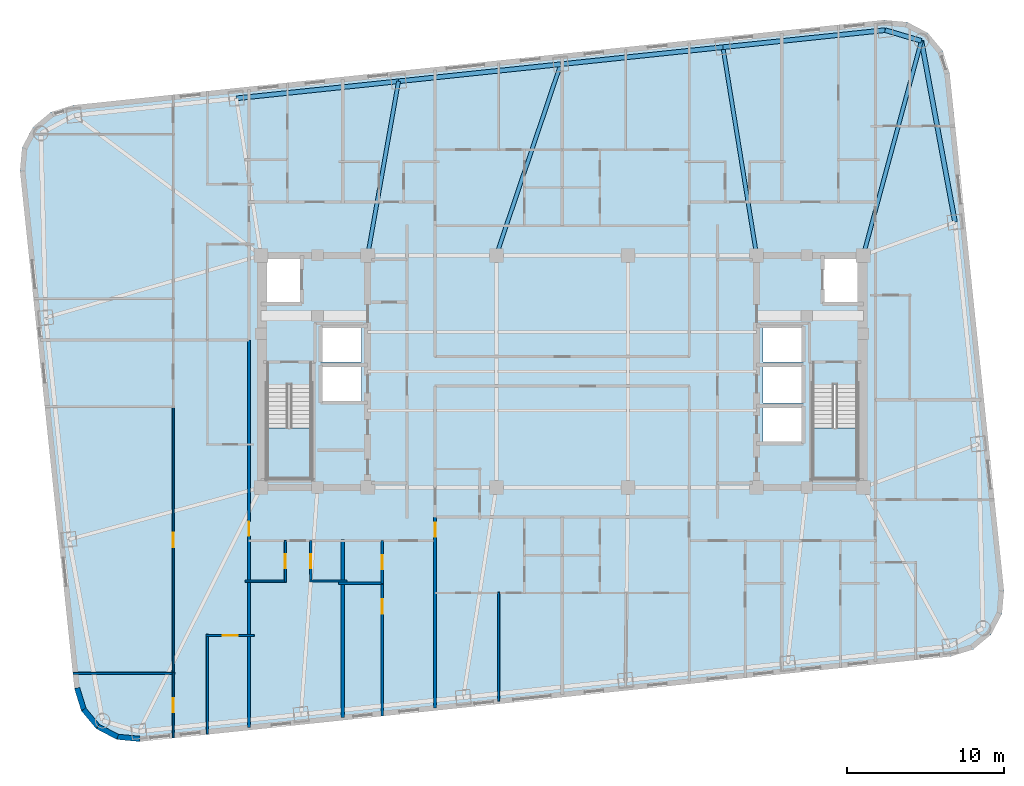
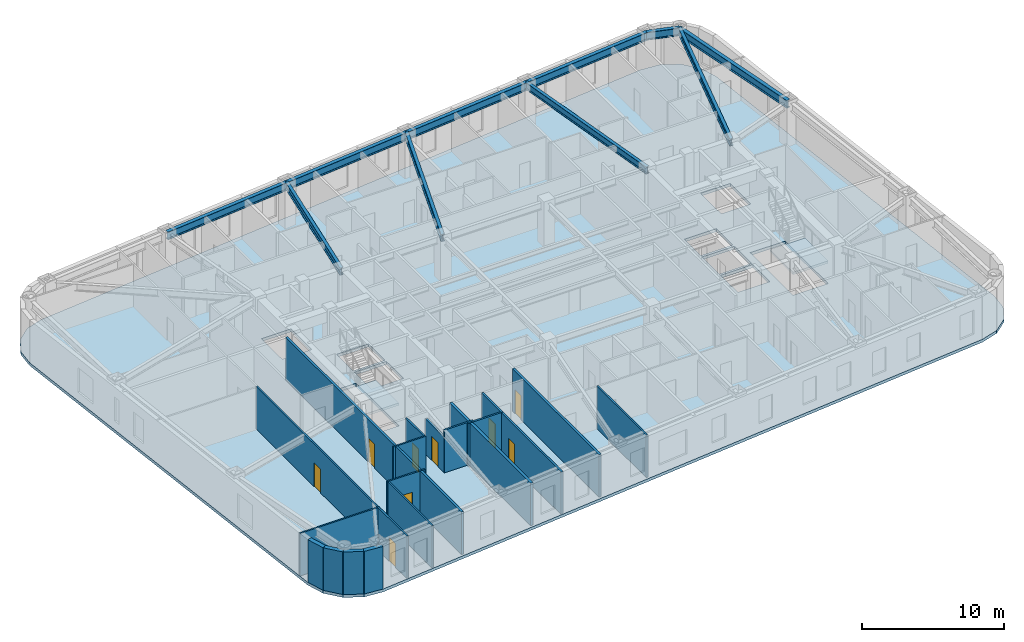
# One storey, part 2 of 11: 20 walls, 10 beams, 9 doors, 3 slabs, 9 openings, 2 elements without a shape of their own.
"""IFC4 building model written with IfcOpenShell, lengths in metres."""

from ifc_helpers import new_model, si_unit, direction, frame, frame_2d, origin, origin_2d, place, context, subcontext, project, spatial, polyline, rectangle, i_section, outline, extrude, material, layer, layer_set, material_profile, profile_set, type_object, element, fill, aggregate, save


model = new_model("IFC4")

# Units and contexts
model_context = context("Model", 3, precision=1e-05, world=origin(), true_north=direction((0.0, 1.0)))
body_context = subcontext(model_context, "Body", "Model", "MODEL_VIEW")
ifc_project = project(units=[si_unit("LENGTHUNIT", "METRE"), si_unit("AREAUNIT", "SQUARE_METRE"), si_unit("VOLUMEUNIT", "CUBIC_METRE"), si_unit("PLANEANGLEUNIT", "RADIAN"), si_unit("MASSUNIT", "GRAM", prefix="KILO")], contexts=[model_context])

# Site, building, storey
site_placement = place(None, origin())
site = spatial("IfcSite", under=ifc_project, at=site_placement, CompositionType="ELEMENT")
building_placement = place(site_placement, origin())
building = spatial("IfcBuilding", under=site, at=building_placement, Name="Voryun Gate Residences", CompositionType="ELEMENT")
storey_placement = place(building_placement, frame((0.0, 0.0, 175.5)))
storey = spatial("IfcBuildingStorey", under=building, at=storey_placement, Name="L43", CompositionType="ELEMENT", Elevation=175.5)

# Beams
ifc_material_1 = material(Name="Steel SM355", Category="steel")
ifc_material_profile_1 = material_profile(ifc_material_1, i_section(OverallWidth=0.300048828125, OverallDepth=0.679931640625, WebThickness=0.013916015625, FlangeThickness=0.02490234375, FilletRadius=0.01806640625, at=origin_2d()), Name="H-680x300x14x25")
ifc_profile_set_1 = profile_set([ifc_material_profile_1], Name="Steel SM355")
beam_type_1 = type_object("IfcBeamType", Name="BM_EXO_SPANDREL_M", PredefinedType="SPANDREL", material=ifc_profile_set_1)
beam_1_placement = place(storey_placement, frame((25.047119140625, 9.51806640625, 3.31005859375), z_axis=(-0.182267768769, 0.983248931079, 0.0), x_axis=(-0.983248931079, -0.182267768769, 0.0)))
element("IfcBeam", 1, at=beam_1_placement, inside=storey, type_object=beam_type_1, Name="BM-L43-SPAND-09", PredefinedType="SPANDREL", context=body_context, shape_type="SweptSolid", body=[
    extrude(i_section(OverallWidth=0.300048828125, OverallDepth=0.679931640625, WebThickness=0.013916015625, FlangeThickness=0.02490234375, FilletRadius=0.01806640625, at=origin_2d()), origin(), (0.0, 0.0, 1.0), 11.753662109375),
])
beam_2_placement = place(storey_placement, frame((22.90478515625, 21.074951171875, 3.31005859375), z_axis=(-0.958843048967, 0.283936625758, 0.0), x_axis=(-0.283936625758, -0.958843048967, 0.0)))
element("IfcBeam", 2, at=beam_2_placement, inside=storey, type_object=beam_type_1, Name="BM-L43-SPAND-10", PredefinedType="SPANDREL", context=body_context, shape_type="SweptSolid", body=[
    extrude(i_section(OverallWidth=0.300048828125, OverallDepth=0.679931640625, WebThickness=0.013916015625, FlangeThickness=0.02490234375, FilletRadius=0.01806640625, at=origin_2d()), origin(), (0.0, 0.0, 1.0), 2.410888671875),
])
for number, where, z_axis, x_axis, name in (
    (3, (20.593017578125, 21.759521484375, 3.31005859375), (-0.994521263116, -0.104534478571, 0.0), (0.104534478571, -0.994521263116, 0.0), "BM-L43-SPAND-11"),
    (4, (10.25, 20.67236328125, 3.31005859375), (-0.99452370336, -0.10451125994, 0.0), (0.10451125994, -0.99452370336, 0.0), "BM-L43-SPAND-12"),
    (5, (-0.093017578125, 19.58544921875, 3.31005859375), (-0.994521263116, -0.104534478571, 0.0), (0.104534478571, -0.994521263116, 0.0), "BM-L43-SPAND-13"),
    (6, (-10.43603515625, 18.498291015625, 3.31005859375), (-0.994521263116, -0.104534478571, 0.0), (0.104534478571, -0.994521263116, 0.0), "BM-L43-SPAND-14"),
):
    element("IfcBeam", number, at=place(storey_placement, frame(where, z_axis=z_axis, x_axis=x_axis)), inside=storey, type_object=beam_type_1, Name=name, PredefinedType="SPANDREL", context=body_context, shape_type="SweptSolid", body=[
        extrude(i_section(OverallWidth=0.300048828125, OverallDepth=0.679931640625, WebThickness=0.013916015625, FlangeThickness=0.02490234375, FilletRadius=0.01806640625, at=origin_2d()), origin(), (0.0, 0.0, 1.0), 10.39990234375),
    ])
ifc_material_2 = material(Name="Steel SM355", Category="steel")
ifc_material_profile_2 = material_profile(ifc_material_2, i_section(OverallWidth=0.25, OverallDepth=0.60009765625, WebThickness=0.011962890625, FlangeThickness=0.02197265625, FilletRadius=0.01806640625, at=origin_2d()), Name="H-600x250x12x22")
ifc_profile_set_2 = profile_set([ifc_material_profile_2], Name="Steel SM355")
beam_type_2 = type_object("IfcBeamType", Name="BM_GIRD_600", PredefinedType="USERDEFINED", material=ifc_profile_set_2)
beam_3_placement = place(storey_placement, frame((19.199951171875, 7.39990234375, 3.35009765625), z_axis=(0.261492735838, 0.965205443988, 0.0), x_axis=(-0.965205443988, 0.261492735838, 0.0)))
element("IfcBeam", 7, at=beam_3_placement, inside=storey, type_object=beam_type_2, Name="BM-L43-RAD-CNE", ObjectType="GIRDER", PredefinedType="USERDEFINED", context=body_context, shape_type="SweptSolid", body=[
    extrude(i_section(OverallWidth=0.25, OverallDepth=0.60009765625, WebThickness=0.011962890625, FlangeThickness=0.02197265625, FilletRadius=0.01806640625, at=origin_2d()), origin(), (0.0, 0.0, 1.0), 14.16796875),
])
beam_4_placement = place(storey_placement, frame((12.39990234375, 7.39990234375, 3.35009765625), z_axis=(-0.159898055533, 0.987133532931, 0.0), x_axis=(-0.987133532931, -0.159898055533, 0.0)))
element("IfcBeam", 8, at=beam_4_placement, inside=storey, type_object=beam_type_2, Name="BM-L43-RAD-N2", ObjectType="GIRDER", PredefinedType="USERDEFINED", context=body_context, shape_type="SweptSolid", body=[
    extrude(i_section(OverallWidth=0.25, OverallDepth=0.60009765625, WebThickness=0.011962890625, FlangeThickness=0.02197265625, FilletRadius=0.01806640625, at=origin_2d()), origin(), (0.0, 0.0, 1.0), 13.445556640625),
])
beam_5_placement = place(storey_placement, frame((-4.199951171875, 7.39990234375, 3.35009765625), z_axis=(0.319381479956, 0.947626229197, 0.0), x_axis=(-0.947626229197, 0.319381479956, 0.0)))
element("IfcBeam", 9, at=beam_5_placement, inside=storey, type_object=beam_type_2, Name="BM-L43-RAD-N3", ObjectType="GIRDER", PredefinedType="USERDEFINED", context=body_context, shape_type="SweptSolid", body=[
    extrude(i_section(OverallWidth=0.25, OverallDepth=0.60009765625, WebThickness=0.011962890625, FlangeThickness=0.02197265625, FilletRadius=0.01806640625, at=origin_2d()), origin(), (0.0, 0.0, 1.0), 12.859130859375),
])
beam_6_placement = place(storey_placement, frame((-12.39990234375, 7.39990234375, 3.35009765625), z_axis=(0.174243764839, 0.984702549207, 0.0), x_axis=(-0.984702549207, 0.174243764839, 0.0)))
element("IfcBeam", 10, at=beam_6_placement, inside=storey, type_object=beam_type_2, Name="BM-L43-RAD-N4", ObjectType="GIRDER", PredefinedType="USERDEFINED", context=body_context, shape_type="SweptSolid", body=[
    extrude(i_section(OverallWidth=0.25, OverallDepth=0.60009765625, WebThickness=0.011962890625, FlangeThickness=0.02197265625, FilletRadius=0.01806640625, at=origin_2d()), origin(), (0.0, 0.0, 1.0), 11.270751953125),
])

# Slab
ifc_material_3 = material(Name="Concrete C40/50", Category="concrete")
ifc_layer_1 = layer(ifc_material_3, 0.25, Name="SLB_RES_250")
ifc_layer_set_1 = layer_set([ifc_layer_1], Name="Concrete C40/50")
slab_type_1 = type_object("IfcSlabType", Name="SLB_RES_250", PredefinedType="FLOOR", material=ifc_layer_set_1)
slab_1_placement = place(storey_placement, frame((0.0, 0.0, -0.25)))
element("IfcSlab", 11, at=slab_1_placement, inside=storey, type_object=slab_type_1, Name="L43 Structural Floor Slab", PredefinedType="FLOOR", context=body_context, shape_type="SweptSolid", body=[
    extrude(outline(polyline([(-26.92529296875, -23.60595703125), (-28.401611328125, -23.47021484375), (-29.7138671875, -22.780029296875), (-30.661865234375, -21.639892578125), (-31.1015625, -20.22412109375), (-34.572021484375, 12.794189453125), (-34.436279296875, 14.2705078125), (-33.745849609375, 15.582763671875), (-32.60595703125, 16.53076171875), (-31.18994140625, 16.970458984375), (20.525146484375, 22.406005859375), (22.001708984375, 22.270263671875), (23.313720703125, 21.580078125), (24.261962890625, 20.43994140625), (24.70166015625, 19.02392578125), (28.171875, -13.994140625), (28.036376953125, -15.470458984375), (27.345947265625, -16.78271484375), (26.2060546875, -17.730712890625), (24.7900390625, -18.17041015625), (-26.92529296875, -23.60595703125)]), holes=[polyline([(-15.97509765625, -6.85009765625), (-15.97509765625, -0.840087890625), (-18.824951171875, -0.840087890625), (-18.824951171875, -6.85009765625), (-15.97509765625, -6.85009765625)]), polyline([(18.824951171875, -6.85009765625), (18.824951171875, -0.840087890625), (15.97509765625, -0.840087890625), (15.97509765625, -6.85009765625), (18.824951171875, -6.85009765625)]), polyline([(15.39990234375, -2.199951171875), (12.800048828125, -2.199951171875), (12.800048828125, -4.60009765625), (15.39990234375, -4.60009765625), (15.39990234375, -2.199951171875)]), polyline([(-12.800048828125, 0.39990234375), (-15.39990234375, 0.39990234375), (-15.39990234375, -2.0), (-12.800048828125, -2.0), (-12.800048828125, 0.39990234375)]), polyline([(15.39990234375, 0.39990234375), (12.800048828125, 0.39990234375), (12.800048828125, -2.0), (15.39990234375, -2.0), (15.39990234375, 0.39990234375)]), polyline([(-12.800048828125, 2.89990234375), (-15.39990234375, 2.89990234375), (-15.39990234375, 0.60009765625), (-12.800048828125, 0.60009765625), (-12.800048828125, 2.89990234375)]), polyline([(15.39990234375, 2.89990234375), (12.800048828125, 2.89990234375), (12.800048828125, 0.60009765625), (15.39990234375, 0.60009765625), (15.39990234375, 2.89990234375)]), polyline([(-16.60009765625, 4.300048828125), (-16.60009765625, 7.199951171875), (-19.0, 7.199951171875), (-19.0, 4.300048828125), (-16.60009765625, 4.300048828125)]), polyline([(19.0, 4.300048828125), (19.0, 7.199951171875), (16.60009765625, 7.199951171875), (16.60009765625, 4.300048828125), (19.0, 4.300048828125)])]), origin(), (0.0, 0.0, 1.0), 0.25),
])

# Stair, slab
ifc_material_4 = material(Name="Concrete C40/50", Category="concrete")
stair_type = type_object("IfcStairType", Name="STR_CORE_DOGLEG_1350", PredefinedType="HALF_TURN_STAIR", material=ifc_material_4)
stair_1_placement = place(storey_placement, origin())
stair_1 = element("IfcStair", 12, at=stair_1_placement, inside=storey, type_object=stair_type, Name="L43 Special Escape Stair ST-W1", PredefinedType="HALF_TURN_STAIR")
ifc_material_5 = material(Name="Concrete C40/50", Category="concrete")
ifc_layer_2 = layer(ifc_material_5, 0.199951171875, Name="SLB_STAIR_LANDING_200")
ifc_layer_set_2 = layer_set([ifc_layer_2], Name="Concrete C40/50")
slab_type_2 = type_object("IfcSlabType", Name="SLB_STAIR_LANDING_200", PredefinedType="LANDING", material=ifc_layer_set_2)
slab_2_placement = place(storey_placement, frame((0.0, 0.0, 1.75)))
slab_2 = element("IfcSlab", 13, at=slab_2_placement, type_object=slab_type_2, Name="ST-W1 landing 1", PredefinedType="LANDING", context=body_context, shape_type="SweptSolid", body=[
    extrude(outline(polyline([(-18.824951171875, -3.60009765625), (-18.824951171875, -6.85009765625), (-15.97509765625, -6.85009765625), (-15.97509765625, -3.60009765625), (-18.824951171875, -3.60009765625)])), origin(), (0.0, 0.0, 1.0), 0.199951171875),
])
aggregate(stair_1, [slab_2])

stair_2_placement = place(storey_placement, origin())
stair_2 = element("IfcStair", 14, at=stair_2_placement, inside=storey, type_object=stair_type, Name="L43 Special Escape Stair ST-E1", PredefinedType="HALF_TURN_STAIR")
slab_3_placement = place(storey_placement, frame((0.0, 0.0, 1.75)))
slab_3 = element("IfcSlab", 15, at=slab_3_placement, type_object=slab_type_2, Name="ST-E1 landing 1", PredefinedType="LANDING", context=body_context, shape_type="SweptSolid", body=[
    extrude(outline(polyline([(15.97509765625, -3.60009765625), (15.97509765625, -6.85009765625), (18.824951171875, -6.85009765625), (18.824951171875, -3.60009765625), (15.97509765625, -3.60009765625)])), origin(), (0.0, 0.0, 1.0), 0.199951171875),
])
aggregate(stair_2, [slab_3])

# Wall, opening, door
ifc_material_6 = material(Name="Gypsum acoustic fireboard")
ifc_layer_3 = layer(ifc_material_6, 0.179931640625, Name="W_CORR_RATED_180")
ifc_layer_set_3 = layer_set([ifc_layer_3], Name="Gypsum acoustic fireboard")
wall_type_1 = type_object("IfcWallType", Name="W_CORR_RATED_180", PredefinedType="PARTITIONING", material=ifc_layer_set_3)
wall_1_placement = place(storey_placement, frame((-8.10009765625, -21.456298828125, 0.0), z_axis=(0.0, 0.0, 1.0), x_axis=(0.0, 1.0, 0.0)))
wall_1 = element("IfcWall", 16, at=wall_1_placement, inside=storey, type_object=wall_type_1, Name="Partition wall WP-L43-SZV-1", PredefinedType="PARTITIONING", context=body_context, shape_type="SweptSolid", body=[
    extrude(rectangle(XDim=12.166259765625, YDim=0.179931640625, at=frame_2d((6.0830078125, 0.0))), origin(), (0.0, 0.0, 1.0), 3.64990234375),
])
opening_1_placement = place(wall_1_placement, frame((10.916015625, 0.0, 0.0)))
opening_1 = element("IfcOpeningElement", 17, at=opening_1_placement, cuts=wall_1, Name="Opening D-INT-2", PredefinedType="OPENING", context=body_context, shape_type="SweptSolid", body=[
    extrude(rectangle(XDim=0.89990234375, YDim=2.050048828125, at=frame_2d((0.449951171875, 1.02490234375))), frame((0.0, 0.099853515625, 0.0), z_axis=(0.0, -1.0, 0.0), x_axis=(1.0, 0.0, 0.0)), (0.0, 0.0, 1.0), 0.199951171875),
])
ifc_material_7 = material(Name="Architectural oak veneer")
door_type_1 = type_object("IfcDoorType", Name="DR_INT_BATH_900", OperationType="NOTDEFINED", PredefinedType="DOOR", material=ifc_material_7)
door_1_placement = place(opening_1_placement, origin())
door_1 = element("IfcDoor", 18, at=door_1_placement, inside=storey, type_object=door_type_1, Name="Door DR-L43-SZENT-1", OperationType="SINGLE_SWING_LEFT", OverallHeight=2.050048828125, OverallWidth=0.89990234375, PredefinedType="DOOR", context=body_context, shape_type="SweptSolid", body=[
    extrude(rectangle(XDim=0.89990234375, YDim=2.050048828125, at=frame_2d((0.449951171875, 1.02490234375))), frame((0.0, 0.02490234375, 0.0), z_axis=(0.0, -1.0, 0.0), x_axis=(1.0, 0.0, 0.0)), (0.0, 0.0, 1.0), 0.050048828125),
])
fill(opening_1, door_1)

wall_2_placement = place(storey_placement, frame((-19.969970703125, -22.7041015625, 0.0), z_axis=(0.0, 0.0, 1.0), x_axis=(0.0, 1.0, 0.0)))
wall_2 = element("IfcWall", 19, at=wall_2_placement, inside=storey, type_object=wall_type_1, Name="Partition wall WP-L43-WCOR1", PredefinedType="PARTITIONING", context=body_context, shape_type="SweptSolid", body=[
    extrude(rectangle(XDim=24.7041015625, YDim=0.179931640625, at=frame_2d((12.35205078125, 0.0))), origin(), (0.0, 0.0, 1.0), 3.64990234375),
])
opening_2_placement = place(wall_2_placement, frame((12.22314453125, 0.0, 0.0)))
opening_2 = element("IfcOpeningElement", 20, at=opening_2_placement, cuts=wall_2, Name="Opening D-INT-2", PredefinedType="OPENING", context=body_context, shape_type="SweptSolid", body=[
    extrude(rectangle(XDim=0.89990234375, YDim=2.050048828125, at=frame_2d((0.449951171875, 1.02490234375))), frame((0.0, 0.099853515625, 0.0), z_axis=(0.0, -1.0, 0.0), x_axis=(1.0, 0.0, 0.0)), (0.0, 0.0, 1.0), 0.199951171875),
])
door_2_placement = place(opening_2_placement, origin())
door_2 = element("IfcDoor", 21, at=door_2_placement, inside=storey, type_object=door_type_1, Name="Door DR-L43-WE1", OperationType="SINGLE_SWING_LEFT", OverallHeight=2.050048828125, OverallWidth=0.89990234375, PredefinedType="DOOR", context=body_context, shape_type="SweptSolid", body=[
    extrude(rectangle(XDim=0.89990234375, YDim=2.050048828125, at=frame_2d((0.449951171875, 1.02490234375))), frame((0.0, 0.02490234375, 0.0), z_axis=(0.0, -1.0, 0.0), x_axis=(1.0, 0.0, 0.0)), (0.0, 0.0, 1.0), 0.050048828125),
])
fill(opening_2, door_2)

# Walls
ifc_material_8 = material(Name="Charcoal terracotta masonry", Category="masonry")
ifc_layer_4 = layer(ifc_material_8, 0.340087890625, Name="W_EXT_TERRACOTTA_340")
ifc_layer_set_4 = layer_set([ifc_layer_4], Name="Charcoal terracotta masonry")
wall_type_2 = type_object("IfcWallType", Name="W_EXT_TERRACOTTA_340", PredefinedType="ELEMENTEDWALL", material=ifc_layer_set_4)
wall_3_placement = place(storey_placement, frame((-26.92626953125, -23.435302734375, 0.0), z_axis=(0.0, 0.0, 1.0), x_axis=(-0.995800460351, 0.091550222087, 0.0)))
element("IfcWall", 22, at=wall_3_placement, inside=storey, type_object=wall_type_2, Name="Exterior wall WEXT-L43-02", PredefinedType="ELEMENTEDWALL", context=body_context, shape_type="SweptSolid", body=[
    extrude(rectangle(XDim=1.43212890625, YDim=0.340087890625, at=frame_2d((0.716064453125, 0.0))), origin(), (0.0, 0.0, 1.0), 3.64990234375),
])
wall_4_placement = place(storey_placement, frame((-28.352294921875, -23.30419921875, 0.0), z_axis=(0.0, 0.0, 1.0), x_axis=(-0.884989312682, 0.465611336243, 0.0)))
element("IfcWall", 23, at=wall_4_placement, inside=storey, type_object=wall_type_2, Name="Exterior wall WEXT-L43-03", PredefinedType="ELEMENTEDWALL", context=body_context, shape_type="SweptSolid", body=[
    extrude(rectangle(XDim=1.415283203125, YDim=0.340087890625, at=frame_2d((0.70751953125, 0.0))), origin(), (0.0, 0.0, 1.0), 3.64990234375),
])
wall_5_placement = place(storey_placement, frame((-29.604736328125, -22.645263671875, 0.0), z_axis=(0.0, 0.0, 1.0), x_axis=(-0.639437361921, 0.768843196093, 0.0)))
element("IfcWall", 24, at=wall_5_placement, inside=storey, type_object=wall_type_2, Name="Exterior wall WEXT-L43-04", PredefinedType="ELEMENTEDWALL", context=body_context, shape_type="SweptSolid", body=[
    extrude(rectangle(XDim=1.4150390625, YDim=0.340087890625, at=frame_2d((0.70751953125, 0.0))), origin(), (0.0, 0.0, 1.0), 3.64990234375),
])
wall_6_placement = place(storey_placement, frame((-30.509521484375, -21.557373046875, 0.0), z_axis=(0.0, 0.0, 1.0), x_axis=(-0.296624409546, 0.9549942197, 0.0)))
element("IfcWall", 25, at=wall_6_placement, inside=storey, type_object=wall_type_2, Name="Exterior wall WEXT-L43-05", PredefinedType="ELEMENTEDWALL", context=body_context, shape_type="SweptSolid", body=[
    extrude(rectangle(XDim=1.43212890625, YDim=0.340087890625, at=frame_2d((0.716064453125, 0.0))), origin(), (0.0, 0.0, 1.0), 3.64990234375),
])
ifc_material_9 = material(Name="Concrete C40/50", Category="concrete")
ifc_layer_5 = layer(ifc_material_9, 0.219970703125, Name="W_PARTY_ACOUSTIC_220")
ifc_layer_set_5 = layer_set([ifc_layer_5], Name="Concrete C40/50")
wall_type_3 = type_object("IfcWallType", Name="W_PARTY_ACOUSTIC_220", PredefinedType="PARTITIONING", material=ifc_layer_set_5)
wall_7_placement = place(storey_placement, frame((-13.989990234375, -22.075439453125, 0.0), z_axis=(0.0, 0.0, 1.0), x_axis=(0.0, 1.0, 0.0)))
element("IfcWall", 26, at=wall_7_placement, inside=storey, type_object=wall_type_3, Name="Partition wall WP-L43-SPTY-1", PredefinedType="PARTITIONING", context=body_context, shape_type="SweptSolid", body=[
    extrude(rectangle(XDim=11.35546875, YDim=0.219970703125, at=frame_2d((5.677734375, 0.0))), origin(), (0.0, 0.0, 1.0), 3.64990234375),
])

# Wall, opening, door
ifc_material_10 = material(Name="Gypsum acoustic partition")
ifc_layer_6 = layer(ifc_material_10, 0.125, Name="W_UNIT_PART_125")
ifc_layer_set_6 = layer_set([ifc_layer_6], Name="Gypsum acoustic partition")
wall_type_4 = type_object("IfcWallType", Name="W_UNIT_PART_125", PredefinedType="PARTITIONING", material=ifc_layer_set_6)
wall_8_placement = place(storey_placement, frame((-17.64990234375, -13.429931640625, 0.0), z_axis=(0.0, 0.0, 1.0), x_axis=(0.0, 1.0, 0.0)))
wall_8 = element("IfcWall", 27, at=wall_8_placement, inside=storey, type_object=wall_type_4, Name="Partition wall WP-L43-S1-CVK", PredefinedType="PARTITIONING", context=body_context, shape_type="SweptSolid", body=[
    extrude(rectangle(XDim=2.64990234375, YDim=0.125, at=frame_2d((1.324951171875, 0.0))), origin(), (0.0, 0.0, 1.0), 3.64990234375),
])
opening_3_placement = place(wall_8_placement, frame((0.875, 0.0, 0.0)))
opening_3 = element("IfcOpeningElement", 28, at=opening_3_placement, cuts=wall_8, Name="Opening D-INT-2", PredefinedType="OPENING", context=body_context, shape_type="SweptSolid", body=[
    extrude(rectangle(XDim=0.89990234375, YDim=2.050048828125, at=frame_2d((0.449951171875, 1.02490234375))), frame((0.0, 0.072509765625, 0.0), z_axis=(0.0, -1.0, 0.0), x_axis=(1.0, 0.0, 0.0)), (0.0, 0.0, 1.0), 0.14501953125),
])
door_3_placement = place(opening_3_placement, origin())
door_3 = element("IfcDoor", 29, at=door_3_placement, inside=storey, type_object=door_type_1, Name="Door DR-L43-S1-DK", OperationType="SINGLE_SWING_LEFT", OverallHeight=2.050048828125, OverallWidth=0.89990234375, PredefinedType="DOOR", context=body_context, shape_type="SweptSolid", body=[
    extrude(rectangle(XDim=0.89990234375, YDim=2.050048828125, at=frame_2d((0.449951171875, 1.02490234375))), frame((0.0, 0.02490234375, 0.0), z_axis=(0.0, -1.0, 0.0), x_axis=(1.0, 0.0, 0.0)), (0.0, 0.0, 1.0), 0.050048828125),
])
fill(opening_3, door_3)

# Walls
wall_9_placement = place(storey_placement, frame((-20.219970703125, -13.3701171875, 0.0), z_axis=(0.0, 0.0, 1.0), x_axis=(1.0, 0.0, 0.0)))
element("IfcWall", 30, at=wall_9_placement, inside=storey, type_object=wall_type_4, Name="Partition wall WP-L43-S1-CHK", PredefinedType="PARTITIONING", context=body_context, shape_type="SweptSolid", body=[
    extrude(rectangle(XDim=2.6298828125, YDim=0.125, at=frame_2d((1.31494140625, 0.0))), origin(), (0.0, 0.0, 1.0), 3.64990234375),
])
wall_10_placement = place(storey_placement, frame((-4.050048828125, -21.03076171875, 0.0), z_axis=(0.0, 0.0, 1.0), x_axis=(0.0, 1.0, 0.0)))
element("IfcWall", 31, at=wall_10_placement, inside=storey, type_object=wall_type_4, Name="Partition wall WP-L43-SC1-VBD", PredefinedType="PARTITIONING", context=body_context, shape_type="SweptSolid", body=[
    extrude(rectangle(XDim=6.940673828125, YDim=0.125, at=frame_2d((3.47021484375, 0.0))), origin(), (0.0, 0.0, 1.0), 3.64990234375),
])
wall_11_placement = place(storey_placement, frame((-31.183349609375, -19.25390625, 0.0), z_axis=(0.0, 0.0, 1.0), x_axis=(1.0, 0.0, 0.0)))
element("IfcWall", 32, at=wall_11_placement, inside=storey, type_object=wall_type_4, Name="Partition wall WP-L43-W1-OH1", PredefinedType="PARTITIONING", context=body_context, shape_type="SweptSolid", body=[
    extrude(rectangle(XDim=6.46337890625, YDim=0.125, at=frame_2d((3.231689453125, 0.0))), origin(), (0.0, 0.0, 1.0), 3.64990234375),
])

# Wall, opening, door
wall_12_placement = place(storey_placement, frame((-24.800048828125, -23.362548828125, 0.0), z_axis=(0.0, 0.0, 1.0), x_axis=(0.0, 1.0, 0.0)))
wall_12 = element("IfcWall", 33, at=wall_12_placement, inside=storey, type_object=wall_type_4, Name="Partition wall WP-L43-W1-OVX1", PredefinedType="PARTITIONING", context=body_context, shape_type="SweptSolid", body=[
    extrude(rectangle(XDim=4.158447265625, YDim=0.125, at=frame_2d((2.0791015625, 0.0))), origin(), (0.0, 0.0, 1.0), 3.64990234375),
])
opening_4_placement = place(wall_12_placement, frame((1.62939453125, 0.0, 0.0)))
opening_4 = element("IfcOpeningElement", 34, at=opening_4_placement, cuts=wall_12, Name="Opening D-INT-2", PredefinedType="OPENING", context=body_context, shape_type="SweptSolid", body=[
    extrude(rectangle(XDim=0.89990234375, YDim=2.050048828125, at=frame_2d((0.449951171875, 1.02490234375))), frame((0.0, 0.072509765625, 0.0), z_axis=(0.0, -1.0, 0.0), x_axis=(1.0, 0.0, 0.0)), (0.0, 0.0, 1.0), 0.14501953125),
])
door_4_placement = place(opening_4_placement, origin())
door_4 = element("IfcDoor", 35, at=door_4_placement, inside=storey, type_object=door_type_1, Name="Door DR-L43-W1-DBD2", OperationType="SINGLE_SWING_LEFT", OverallHeight=2.050048828125, OverallWidth=0.89990234375, PredefinedType="DOOR", context=body_context, shape_type="SweptSolid", body=[
    extrude(rectangle(XDim=0.89990234375, YDim=2.050048828125, at=frame_2d((0.449951171875, 1.02490234375))), frame((0.0, 0.02490234375, 0.0), z_axis=(0.0, -1.0, 0.0), x_axis=(1.0, 0.0, 0.0)), (0.0, 0.0, 1.0), 0.050048828125),
])
fill(opening_4, door_4)

wall_13_placement = place(storey_placement, frame((-24.800048828125, -19.303955078125, 0.0), z_axis=(0.0, 0.0, 1.0), x_axis=(0.0, 1.0, 0.0)))
wall_13 = element("IfcWall", 36, at=wall_13_placement, inside=storey, type_object=wall_type_4, Name="Partition wall WP-L43-W1-OVX2", PredefinedType="PARTITIONING", context=body_context, shape_type="SweptSolid", body=[
    extrude(rectangle(XDim=17.10595703125, YDim=0.125, at=frame_2d((8.552978515625, 0.0))), origin(), (0.0, 0.0, 1.0), 3.64990234375),
])
opening_5_placement = place(wall_13_placement, frame((8.10302734375, 0.0, 0.0)))
opening_5 = element("IfcOpeningElement", 37, at=opening_5_placement, cuts=wall_13, Name="Opening D-INT-2", PredefinedType="OPENING", context=body_context, shape_type="SweptSolid", body=[
    extrude(rectangle(XDim=0.89990234375, YDim=2.050048828125, at=frame_2d((0.449951171875, 1.02490234375))), frame((0.0, 0.072509765625, 0.0), z_axis=(0.0, -1.0, 0.0), x_axis=(1.0, 0.0, 0.0)), (0.0, 0.0, 1.0), 0.14501953125),
])
door_5_placement = place(opening_5_placement, origin())
door_5 = element("IfcDoor", 38, at=door_5_placement, inside=storey, type_object=door_type_1, Name="Door DR-L43-W1-DSTD", OperationType="SINGLE_SWING_RIGHT", OverallHeight=2.050048828125, OverallWidth=0.89990234375, PredefinedType="DOOR", context=body_context, shape_type="SweptSolid", body=[
    extrude(rectangle(XDim=0.89990234375, YDim=2.050048828125, at=frame_2d((0.449951171875, 1.02490234375))), frame((0.0, 0.02490234375, 0.0), z_axis=(0.0, -1.0, 0.0), x_axis=(1.0, 0.0, 0.0)), (0.0, 0.0, 1.0), 0.050048828125),
])
fill(opening_5, door_5)

wall_14_placement = place(storey_placement, frame((-22.699951171875, -16.842041015625, 0.0), z_axis=(0.0, 0.0, 1.0), x_axis=(1.0, 0.0, 0.0)))
wall_14 = element("IfcWall", 39, at=wall_14_placement, inside=storey, type_object=wall_type_4, Name="Partition wall WP-L43-W1-IKA", PredefinedType="PARTITIONING", context=body_context, shape_type="SweptSolid", body=[
    extrude(rectangle(XDim=3.050048828125, YDim=0.125, at=frame_2d((1.52490234375, 0.0))), origin(), (0.0, 0.0, 1.0), 3.64990234375),
])
opening_6_placement = place(wall_14_placement, frame((1.050048828125, 0.0, 0.0)))
opening_6 = element("IfcOpeningElement", 40, at=opening_6_placement, cuts=wall_14, Name="Opening D-INT-1", PredefinedType="OPENING", context=body_context, shape_type="SweptSolid", body=[
    extrude(rectangle(XDim=0.949951171875, YDim=2.050048828125, at=frame_2d((0.47509765625, 1.02490234375))), frame((0.0, 0.072509765625, 0.0), z_axis=(0.0, -1.0, 0.0), x_axis=(1.0, 0.0, 0.0)), (0.0, 0.0, 1.0), 0.14501953125),
])
ifc_material_11 = material(Name="Architectural oak veneer")
door_type_2 = type_object("IfcDoorType", Name="DR_INT_ROOM_950", OperationType="NOTDEFINED", PredefinedType="DOOR", material=ifc_material_11)
door_6_placement = place(opening_6_placement, origin())
door_6 = element("IfcDoor", 41, at=door_6_placement, inside=storey, type_object=door_type_2, Name="Door DR-L43-W1-DK", OperationType="SINGLE_SWING_LEFT", OverallHeight=2.050048828125, OverallWidth=0.949951171875, PredefinedType="DOOR", context=body_context, shape_type="SweptSolid", body=[
    extrude(rectangle(XDim=0.949951171875, YDim=2.050048828125, at=frame_2d((0.47509765625, 1.02490234375))), frame((0.0, 0.02490234375, 0.0), z_axis=(0.0, -1.0, 0.0), x_axis=(1.0, 0.0, 0.0)), (0.0, 0.0, 1.0), 0.050048828125),
])
fill(opening_6, door_6)

# Wall
wall_15_placement = place(storey_placement, frame((-22.6201171875, -23.13330078125, 0.0), z_axis=(0.0, 0.0, 1.0), x_axis=(0.0, 1.0, 0.0)))
element("IfcWall", 42, at=wall_15_placement, inside=storey, type_object=wall_type_4, Name="Partition wall WP-L43-W1-VTA", PredefinedType="PARTITIONING", context=body_context, shape_type="SweptSolid", body=[
    extrude(rectangle(XDim=6.371337890625, YDim=0.125, at=frame_2d((3.185546875, 0.0))), origin(), (0.0, 0.0, 1.0), 3.64990234375),
])

# Wall, opening, door
ifc_material_12 = material(Name="Gypsum moisture-resistant partition")
ifc_layer_7 = layer(ifc_material_12, 0.14990234375, Name="W_WET_PLUMB_150")
ifc_layer_set_7 = layer_set([ifc_layer_7], Name="Gypsum moisture-resistant partition")
wall_type_5 = type_object("IfcWallType", Name="W_WET_PLUMB_150", PredefinedType="PLUMBINGWALL", material=ifc_layer_set_7)
wall_16_placement = place(storey_placement, frame((-16.0390625, -13.429931640625, 0.0), z_axis=(0.0, 0.0, 1.0), x_axis=(0.0, 1.0, 0.0)))
wall_16 = element("IfcWall", 43, at=wall_16_placement, inside=storey, type_object=wall_type_5, Name="Partition wall WP-L43-S1-CVB", PredefinedType="PLUMBINGWALL", context=body_context, shape_type="SweptSolid", body=[
    extrude(rectangle(XDim=2.64990234375, YDim=0.14990234375, at=frame_2d((1.324951171875, 0.0))), origin(), (0.0, 0.0, 1.0), 3.0400390625),
])
opening_7_placement = place(wall_16_placement, frame((0.875, 0.0, 0.0)))
opening_7 = element("IfcOpeningElement", 44, at=opening_7_placement, cuts=wall_16, Name="Opening D-INT-2", PredefinedType="OPENING", context=body_context, shape_type="SweptSolid", body=[
    extrude(rectangle(XDim=0.89990234375, YDim=2.050048828125, at=frame_2d((0.449951171875, 1.02490234375))), frame((0.0, 0.0849609375, 0.0), z_axis=(0.0, -1.0, 0.0), x_axis=(1.0, 0.0, 0.0)), (0.0, 0.0, 1.0), 0.169921875),
])
door_7_placement = place(opening_7_placement, origin())
door_7 = element("IfcDoor", 45, at=door_7_placement, inside=storey, type_object=door_type_1, Name="Door DR-L43-S1-DB", OperationType="SINGLE_SWING_RIGHT", OverallHeight=2.050048828125, OverallWidth=0.89990234375, PredefinedType="DOOR", context=body_context, shape_type="SweptSolid", body=[
    extrude(rectangle(XDim=0.89990234375, YDim=2.050048828125, at=frame_2d((0.449951171875, 1.02490234375))), frame((0.0, 0.02490234375, 0.0), z_axis=(0.0, -1.0, 0.0), x_axis=(1.0, 0.0, 0.0)), (0.0, 0.0, 1.0), 0.050048828125),
])
fill(opening_7, door_7)

# Walls
wall_17_placement = place(storey_placement, frame((-16.09912109375, -13.3701171875, 0.0), z_axis=(0.0, 0.0, 1.0), x_axis=(1.0, 0.0, 0.0)))
element("IfcWall", 46, at=wall_17_placement, inside=storey, type_object=wall_type_5, Name="Partition wall WP-L43-S1-CHB", PredefinedType="PLUMBINGWALL", context=body_context, shape_type="SweptSolid", body=[
    extrude(rectangle(XDim=2.369140625, YDim=0.14990234375, at=frame_2d((1.1845703125, 0.0))), origin(), (0.0, 0.0, 1.0), 3.64990234375),
])
wall_18_placement = place(storey_placement, frame((-14.25, -13.5, 0.0), z_axis=(0.0, 0.0, 1.0), x_axis=(1.0, 0.0, 0.0)))
element("IfcWall", 47, at=wall_18_placement, inside=storey, type_object=wall_type_5, Name="Partition wall WP-L43-S2-SKB", PredefinedType="PLUMBINGWALL", context=body_context, shape_type="SweptSolid", body=[
    extrude(rectangle(XDim=2.85498046875, YDim=0.14990234375, at=frame_2d((1.427490234375, 0.0))), origin(), (0.0, 0.0, 1.0), 3.64990234375),
])

# Wall, opening, door
wall_19_placement = place(storey_placement, frame((-11.47509765625, -21.9619140625, 0.0), z_axis=(0.0, 0.0, 1.0), x_axis=(0.0, 1.0, 0.0)))
wall_19 = element("IfcWall", 48, at=wall_19_placement, inside=storey, type_object=wall_type_5, Name="Partition wall WP-L43-S2-SVT1", PredefinedType="PLUMBINGWALL", context=body_context, shape_type="SweptSolid", body=[
    extrude(rectangle(XDim=8.501953125, YDim=0.14990234375, at=frame_2d((4.2509765625, 0.0))), origin(), (0.0, 0.0, 1.0), 3.64990234375),
])
opening_8_placement = place(wall_19_placement, frame((6.521484375, 0.0, 0.0)))
opening_8 = element("IfcOpeningElement", 49, at=opening_8_placement, cuts=wall_19, Name="Opening D-INT-2", PredefinedType="OPENING", context=body_context, shape_type="SweptSolid", body=[
    extrude(rectangle(XDim=0.89990234375, YDim=2.050048828125, at=frame_2d((0.449951171875, 1.02490234375))), frame((0.0, 0.0849609375, 0.0), z_axis=(0.0, -1.0, 0.0), x_axis=(1.0, 0.0, 0.0)), (0.0, 0.0, 1.0), 0.169921875),
])
door_8_placement = place(opening_8_placement, origin())
door_8 = element("IfcDoor", 50, at=door_8_placement, inside=storey, type_object=door_type_1, Name="Door DR-L43-S2-DK", OperationType="SINGLE_SWING_LEFT", OverallHeight=2.050048828125, OverallWidth=0.89990234375, PredefinedType="DOOR", context=body_context, shape_type="SweptSolid", body=[
    extrude(rectangle(XDim=0.89990234375, YDim=2.050048828125, at=frame_2d((0.449951171875, 1.02490234375))), frame((0.0, 0.02490234375, 0.0), z_axis=(0.0, -1.0, 0.0), x_axis=(1.0, 0.0, 0.0)), (0.0, 0.0, 1.0), 0.050048828125),
])
fill(opening_8, door_8)

wall_20_placement = place(storey_placement, frame((-11.47509765625, -13.5400390625, 0.0), z_axis=(0.0, 0.0, 1.0), x_axis=(0.0, 1.0, 0.0)))
wall_20 = element("IfcWall", 51, at=wall_20_placement, inside=storey, type_object=wall_type_5, Name="Partition wall WP-L43-S2-SVT2", PredefinedType="PLUMBINGWALL", context=body_context, shape_type="SweptSolid", body=[
    extrude(rectangle(XDim=2.760009765625, YDim=0.14990234375, at=frame_2d((1.3798828125, 0.0))), origin(), (0.0, 0.0, 1.0), 3.64990234375),
])
opening_9_placement = place(wall_20_placement, frame((0.929931640625, 0.0, 0.0)))
opening_9 = element("IfcOpeningElement", 52, at=opening_9_placement, cuts=wall_20, Name="Opening D-INT-2", PredefinedType="OPENING", context=body_context, shape_type="SweptSolid", body=[
    extrude(rectangle(XDim=0.89990234375, YDim=2.050048828125, at=frame_2d((0.449951171875, 1.02490234375))), frame((0.0, 0.0849609375, 0.0), z_axis=(0.0, -1.0, 0.0), x_axis=(1.0, 0.0, 0.0)), (0.0, 0.0, 1.0), 0.169921875),
])
door_9_placement = place(opening_9_placement, origin())
door_9 = element("IfcDoor", 53, at=door_9_placement, inside=storey, type_object=door_type_1, Name="Door DR-L43-S2-DB", OperationType="SINGLE_SWING_RIGHT", OverallHeight=2.050048828125, OverallWidth=0.89990234375, PredefinedType="DOOR", context=body_context, shape_type="SweptSolid", body=[
    extrude(rectangle(XDim=0.89990234375, YDim=2.050048828125, at=frame_2d((0.449951171875, 1.02490234375))), frame((0.0, 0.02490234375, 0.0), z_axis=(0.0, -1.0, 0.0), x_axis=(1.0, 0.0, 0.0)), (0.0, 0.0, 1.0), 0.050048828125),
])
fill(opening_9, door_9)

save(model, "model.ifc")
